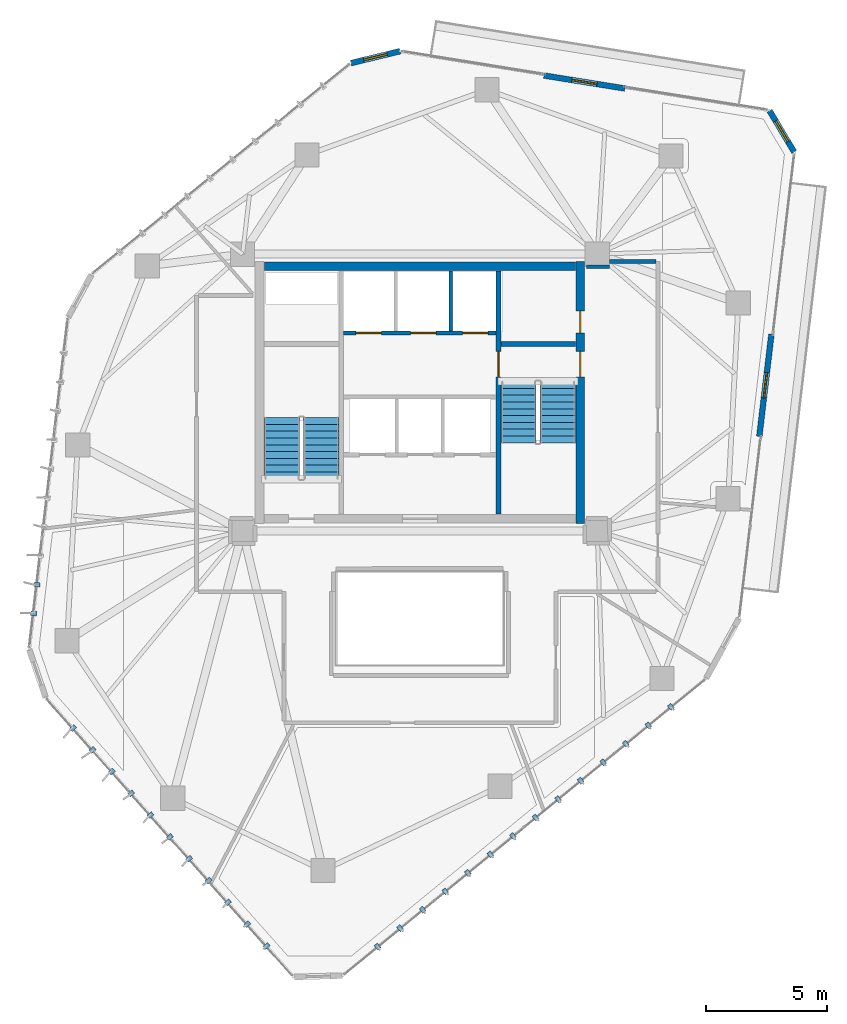
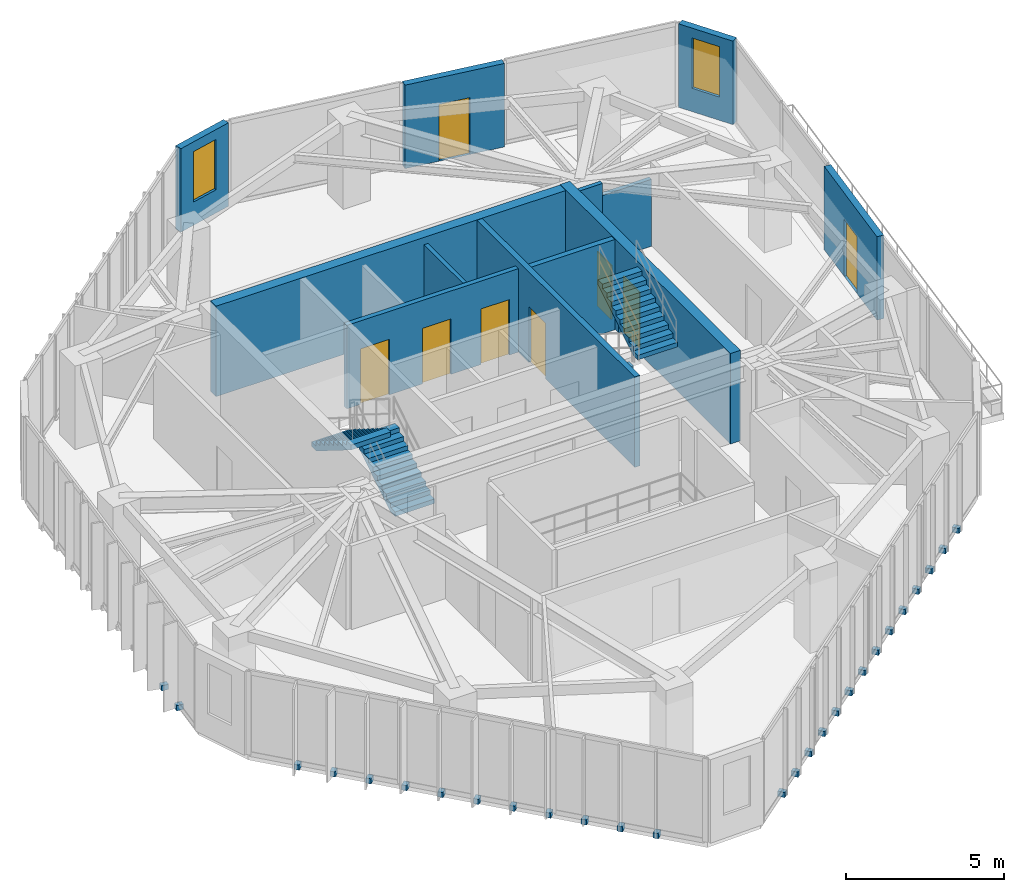
# One storey, part 19 of 22: 27 discrete accessories, 12 walls, 8 doors, 4 stair flights, 2 windows, 10 openings, 2 elements without a shape of their own.
"""IFC4 building model written with IfcOpenShell, lengths in metres."""

from ifc_helpers import new_model, si_unit, direction, frame, frame_2d, origin, origin_2d, place, context, subcontext, project, spatial, polyline, rectangle, outline, extrude, source, transform, mapped, material, layer, layer_set, type_object, type_shapes, element, fill, aggregate, save


model = new_model("IFC4")

# Units and contexts
model_context = context("Model", 3, precision=1e-05, world=origin(), true_north=direction((0.0, 1.0)))
body_context = subcontext(model_context, "Body", "Model", "MODEL_VIEW")
ifc_project = project(units=[si_unit("LENGTHUNIT", "METRE"), si_unit("AREAUNIT", "SQUARE_METRE"), si_unit("VOLUMEUNIT", "CUBIC_METRE"), si_unit("PLANEANGLEUNIT", "RADIAN"), si_unit("MASSUNIT", "GRAM", prefix="KILO")], contexts=[model_context])

# Site, building, storey
site_placement = place(None, origin())
site = spatial("IfcSite", under=ifc_project, at=site_placement, CompositionType="ELEMENT")
building_placement = place(site_placement, origin())
building = spatial("IfcBuilding", under=site, at=building_placement, Name="Talar Marvaseh", CompositionType="ELEMENT")
storey_placement = place(building_placement, frame((0.0, 0.0, 208.199951171875)))
storey = spatial("IfcBuildingStorey", under=building, at=storey_placement, Name="L54", CompositionType="ELEMENT", Elevation=208.199951171875)

# Wall, opening, window
ifc_material_1 = material(Name="Precast concrete C45/55", Category="concrete")
ifc_layer_1 = layer(ifc_material_1, 0.239990234375)
ifc_layer_set_1 = layer_set([ifc_layer_1], Name="Precast concrete C45/55")
wall_type_1 = type_object("IfcWallType", Name="Chamfered Hexagonal Corner Pier Wall Z3 240", PredefinedType="SOLIDWALL", material=ifc_layer_set_1)
wall_1_placement = place(storey_placement, frame((23.158447265625, 44.766845703125, 0.0), z_axis=(0.0, 0.0, 1.0), x_axis=(0.971863892144, 0.235543149227, 0.0)))
wall_1 = element("IfcWall", 1, at=wall_1_placement, inside=storey, type_object=wall_type_1, Name="L54 Chamfered Corner Limestone Pier 4", PredefinedType="SOLIDWALL", context=body_context, shape_type="SweptSolid", body=[
    extrude(rectangle(XDim=2.088623046875, YDim=0.239990234375, at=frame_2d((1.04443359375, 0.0))), origin(), (0.0, 0.0, 1.0), 3.22998046875),
])
opening_1_placement = place(wall_1_placement, frame((0.5439453125, 0.0, 0.89990234375)))
opening_1 = element("IfcOpeningElement", 2, at=opening_1_placement, cuts=wall_1, Name="Opening WN-CHM10", PredefinedType="OPENING", context=body_context, shape_type="SweptSolid", body=[
    extrude(rectangle(XDim=1.0, YDim=1.949951171875, at=frame_2d((0.5, 0.97509765625))), frame((0.0, 0.1298828125, 0.0), z_axis=(0.0, -1.0, 0.0), x_axis=(1.0, 0.0, 0.0)), (0.0, 0.0, 1.0), 0.260009765625),
])
ifc_material_2 = material(Name="Laminated Low-E Solar Glass", Category="glass")
window_type = type_object("IfcWindowType", Name="Zone 3 Chamfered Corner Slot Window 1000x1950", PartitioningType="SINGLE_PANEL", PredefinedType="WINDOW", material=ifc_material_2)
shared_shape_1 = source(origin(), body_context, "Body", "SweptSolid", [
    extrude(rectangle(XDim=1.0, YDim=1.949951171875, at=frame_2d((0.5, 0.97509765625))), frame((0.0, 0.030029296875, 0.0), z_axis=(0.0, -1.0, 0.0), x_axis=(1.0, 0.0, 0.0)), (0.0, 0.0, 1.0), 0.06005859375),
])
type_shapes(window_type, [shared_shape_1])
window_1_placement = place(opening_1_placement, origin())
window_1 = element("IfcWindow", 3, at=window_1_placement, inside=storey, type_object=window_type, Name="L54 Chamfered Corner Slot Window", OverallHeight=1.949951171875, OverallWidth=1.0, PartitioningType="SINGLE_PANEL", PredefinedType="WINDOW", context=body_context, shape_type="MappedRepresentation", body=[
    mapped(shared_shape_1, transform((0.0, 0.0, 0.0), x_axis=(1.0, 0.0, 0.0), y_axis=(0.0, 1.0, 0.0), z_axis=(0.0, 0.0, 1.0), scale=1.0)),
])
fill(opening_1, window_1)

wall_2_placement = place(storey_placement, frame((40.39990234375, 42.806396484375, 0.0), z_axis=(0.0, 0.0, 1.0), x_axis=(0.512388507924, -0.85875375804, 0.0)))
wall_2 = element("IfcWall", 4, at=wall_2_placement, inside=storey, type_object=wall_type_1, Name="L54 Chamfered Corner Limestone Pier 5", PredefinedType="SOLIDWALL", context=body_context, shape_type="SweptSolid", body=[
    extrude(rectangle(XDim=1.977783203125, YDim=0.239990234375, at=frame_2d((0.98876953125, 0.0))), origin(), (0.0, 0.0, 1.0), 3.22998046875),
])
opening_2_placement = place(wall_2_placement, frame((0.489013671875, 0.0, 0.89990234375)))
opening_2 = element("IfcOpeningElement", 5, at=opening_2_placement, cuts=wall_2, Name="Opening WN-CHM10", PredefinedType="OPENING", context=body_context, shape_type="SweptSolid", body=[
    extrude(rectangle(XDim=1.0, YDim=1.949951171875, at=frame_2d((0.5, 0.97509765625))), frame((0.0, 0.1298828125, 0.0), z_axis=(0.0, -1.0, 0.0), x_axis=(1.0, 0.0, 0.0)), (0.0, 0.0, 1.0), 0.260009765625),
])
window_2_placement = place(opening_2_placement, origin())
window_2 = element("IfcWindow", 6, at=window_2_placement, inside=storey, type_object=window_type, Name="L54 Chamfered Corner Slot Window", OverallHeight=1.949951171875, OverallWidth=1.0, PartitioningType="SINGLE_PANEL", PredefinedType="WINDOW", context=body_context, shape_type="MappedRepresentation", body=[
    mapped(shared_shape_1, transform((0.0, 0.0, 0.0), x_axis=(1.0, 0.0, 0.0), y_axis=(0.0, 1.0, 0.0), z_axis=(0.0, 0.0, 1.0), scale=1.0)),
])
fill(opening_2, window_2)

# Walls
ifc_material_3 = material(Name="Gypsum Board Partition Assembly")
ifc_layer_2 = layer(ifc_material_3, 0.155029296875)
ifc_layer_set_2 = layer_set([ifc_layer_2], Name="Gypsum Board Partition Assembly")
wall_type_2 = type_object("IfcWallType", Name="Corridor Fire-Rated Acoustic Partition 155", PredefinedType="PARTITIONING", material=ifc_layer_set_2)
wall_3_placement = place(storey_placement, frame((32.8701171875, 36.385009765625, 0.0), z_axis=(0.0, 0.0, 1.0), x_axis=(0.999999965754, 0.000261711585, 0.0)))
element("IfcWall", 7, at=wall_3_placement, inside=storey, type_object=wall_type_2, Name="L54 Interior Partition Wall", PredefinedType="PARTITIONING", context=body_context, shape_type="SweptSolid", body=[
    extrude(rectangle(XDim=0.932861328125, YDim=0.155029296875, at=frame_2d((0.46630859375, 0.0))), origin(), (0.0, 0.0, 1.0), 3.22998046875),
])
wall_4_placement = place(storey_placement, frame((33.81494140625, 36.60009765625, 0.0), z_axis=(0.0, 0.0, 1.0), x_axis=(1.0, 0.0, 0.0)))
element("IfcWall", 8, at=wall_4_placement, inside=storey, type_object=wall_type_2, Name="L54 Interior Partition Wall", PredefinedType="PARTITIONING", context=body_context, shape_type="SweptSolid", body=[
    extrude(rectangle(XDim=1.901611328125, YDim=0.155029296875, at=frame_2d((0.95068359375, 0.0))), origin(), (0.0, 0.0, 1.0), 2.589111328125),
])
ifc_layer_3 = layer(ifc_material_1, 0.14501953125)
ifc_layer_set_3 = layer_set([ifc_layer_3], Name="Precast concrete C45/55")
wall_type_3 = type_object("IfcWallType", Name="Fire-Rated Lift Divider Wall 145", PredefinedType="SOLIDWALL", material=ifc_layer_set_3)
wall_5_placement = place(storey_placement, frame((27.280029296875, 33.743408203125, 0.0), z_axis=(0.0, 0.0, 1.0), x_axis=(0.0, 1.0, 0.0)))
element("IfcWall", 9, at=wall_5_placement, inside=storey, type_object=wall_type_3, Name="L54 FFL-2/SVL-1 Divider", PredefinedType="SOLIDWALL", context=body_context, shape_type="SweptSolid", body=[
    extrude(rectangle(XDim=2.45654296875, YDim=0.14501953125, at=frame_2d((1.228271484375, 0.0))), origin(), (0.0, 0.0, 1.0), 3.22998046875),
])

# Wall, openings, doors
ifc_layer_4 = layer(ifc_material_1, 0.175048828125)
ifc_layer_set_4 = layer_set([ifc_layer_4], Name="Precast concrete C45/55")
wall_type_4 = type_object("IfcWallType", Name="Fire-Rated Lift Hoistway Enclosure Wall 175", PredefinedType="SOLIDWALL", material=ifc_layer_set_4)
wall_6_placement = place(storey_placement, frame((22.860107421875, 33.64990234375, 0.0), z_axis=(0.0, 0.0, 1.0), x_axis=(1.0, 0.0, 0.0)))
wall_6 = element("IfcWall", 10, at=wall_6_placement, inside=storey, type_object=wall_type_4, Name="L54 Firefighting and Service Lift Front Wall", PredefinedType="SOLIDWALL", context=body_context, shape_type="SweptSolid", body=[
    extrude(rectangle(XDim=6.27978515625, YDim=0.175048828125, at=frame_2d((3.139892578125, 0.0))), origin(), (0.0, 0.0, 1.0), 3.22998046875),
])
opening_3_placement = place(wall_6_placement, frame((0.5, 0.0, 0.0)))
opening_3 = element("IfcOpeningElement", 11, at=opening_3_placement, cuts=wall_6, Name="Opening LD-FF1", PredefinedType="OPENING", context=body_context, shape_type="SweptSolid", body=[
    extrude(rectangle(XDim=1.050048828125, YDim=2.14990234375, at=frame_2d((0.52490234375, 1.074951171875))), frame((0.0, 0.09765625, 0.0), z_axis=(0.0, -1.0, 0.0), x_axis=(1.0, 0.0, 0.0)), (0.0, 0.0, 1.0), 0.195068359375),
])
opening_4_placement = place(wall_6_placement, frame((2.760009765625, 0.0, 0.0)))
opening_4 = element("IfcOpeningElement", 12, at=opening_4_placement, cuts=wall_6, Name="Opening LD-FF2", PredefinedType="OPENING", context=body_context, shape_type="SweptSolid", body=[
    extrude(rectangle(XDim=1.050048828125, YDim=2.14990234375, at=frame_2d((0.52490234375, 1.074951171875))), frame((0.0, 0.09765625, 0.0), z_axis=(0.0, -1.0, 0.0), x_axis=(1.0, 0.0, 0.0)), (0.0, 0.0, 1.0), 0.195068359375),
])
opening_5_placement = place(wall_6_placement, frame((4.89990234375, 0.0, 0.0)))
opening_5 = element("IfcOpeningElement", 13, at=opening_5_placement, cuts=wall_6, Name="Opening LD-SV1", PredefinedType="OPENING", context=body_context, shape_type="SweptSolid", body=[
    extrude(rectangle(XDim=1.050048828125, YDim=2.14990234375, at=frame_2d((0.52490234375, 1.074951171875))), frame((0.0, 0.09765625, 0.0), z_axis=(0.0, -1.0, 0.0), x_axis=(1.0, 0.0, 0.0)), (0.0, 0.0, 1.0), 0.195068359375),
])
ifc_material_4 = material(Name="Stainless Steel Grade 316", Category="steel")
door_type_1 = type_object("IfcDoorType", Name="Automatic Sliding Lift Landing Door 1050x2150", OperationType="NOTDEFINED", PredefinedType="DOOR", material=ifc_material_4)
shared_shape_2 = source(origin(), body_context, "Body", "SweptSolid", [
    extrude(rectangle(XDim=1.050048828125, YDim=2.14990234375, at=frame_2d((0.52490234375, 1.074951171875))), frame((0.0, 0.02490234375, 0.0), z_axis=(0.0, -1.0, 0.0), x_axis=(1.0, 0.0, 0.0)), (0.0, 0.0, 1.0), 0.050048828125),
])
type_shapes(door_type_1, [shared_shape_2])
door_1_placement = place(opening_3_placement, origin())
door_1 = element("IfcDoor", 14, at=door_1_placement, inside=storey, type_object=door_type_1, Name="L54 Lift FFL-1 Sliding Landing Door", OperationType="SLIDING_TO_LEFT", OverallHeight=2.14990234375, OverallWidth=1.050048828125, PredefinedType="DOOR", context=body_context, shape_type="MappedRepresentation", body=[
    mapped(shared_shape_2, transform((0.0, 0.0, 0.0), x_axis=(1.0, 0.0, 0.0), y_axis=(0.0, 1.0, 0.0), z_axis=(0.0, 0.0, 1.0), scale=1.0)),
])
fill(opening_3, door_1)
door_2_placement = place(opening_4_placement, origin())
door_2 = element("IfcDoor", 15, at=door_2_placement, inside=storey, type_object=door_type_1, Name="L54 Lift FFL-2 Sliding Landing Door", OperationType="SLIDING_TO_LEFT", OverallHeight=2.14990234375, OverallWidth=1.050048828125, PredefinedType="DOOR", context=body_context, shape_type="MappedRepresentation", body=[
    mapped(shared_shape_2, transform((0.0, 0.0, 0.0), x_axis=(1.0, 0.0, 0.0), y_axis=(0.0, 1.0, 0.0), z_axis=(0.0, 0.0, 1.0), scale=1.0)),
])
fill(opening_4, door_2)
door_3_placement = place(opening_5_placement, origin())
door_3 = element("IfcDoor", 16, at=door_3_placement, inside=storey, type_object=door_type_1, Name="L54 Lift SVL-1 Sliding Landing Door", OperationType="SLIDING_TO_LEFT", OverallHeight=2.14990234375, OverallWidth=1.050048828125, PredefinedType="DOOR", context=body_context, shape_type="MappedRepresentation", body=[
    mapped(shared_shape_2, transform((0.0, 0.0, 0.0), x_axis=(1.0, 0.0, 0.0), y_axis=(0.0, 1.0, 0.0), z_axis=(0.0, 0.0, 1.0), scale=1.0)),
])
fill(opening_5, door_3)

# Wall, opening, door
ifc_material_5 = material(Name="Concrete C50/60", Category="concrete")
ifc_layer_5 = layer(ifc_material_5, 0.199951171875)
ifc_layer_set_5 = layer_set([ifc_layer_5], Name="Concrete C50/60")
wall_type_5 = type_object("IfcWallType", Name="Stair Shaft Structural Concrete Shear Wall 200", PredefinedType="SHEAR", material=ifc_layer_set_5)
wall_7_placement = place(storey_placement, frame((29.239990234375, 26.199951171875, 0.0), z_axis=(0.0, 0.0, 1.0), x_axis=(0.0, 1.0, 0.0)))
wall_7 = element("IfcWall", 17, at=wall_7_placement, inside=storey, type_object=wall_type_5, Name="L54 Core East Stair Shear Wall", PredefinedType="SHEAR", context=body_context, shape_type="SweptSolid", body=[
    extrude(rectangle(XDim=10.0, YDim=0.199951171875, at=frame_2d((5.0, 0.0))), origin(), (0.0, 0.0, 1.0), 3.5),
])
opening_6_placement = place(wall_7_placement, frame((5.64990234375, 0.0, 0.0)))
opening_6 = element("IfcOpeningElement", 18, at=opening_6_placement, cuts=wall_7, Name="Opening DR-ST105", PredefinedType="OPENING", context=body_context, shape_type="SweptSolid", body=[
    extrude(rectangle(XDim=1.050048828125, YDim=2.14990234375, at=frame_2d((0.52490234375, 1.074951171875))), frame((0.0, 0.10986328125, 0.0), z_axis=(0.0, -1.0, 0.0), x_axis=(1.0, 0.0, 0.0)), (0.0, 0.0, 1.0), 0.219970703125),
])
ifc_material_6 = material(Name="Fire-Rated Steel Door Leaf", Category="steel")
door_type_2 = type_object("IfcDoorType", Name="Protected Exit Stair Fire Door 1050x2150", OperationType="NOTDEFINED", PredefinedType="DOOR", material=ifc_material_6)
shared_shape_3 = source(origin(), body_context, "Body", "SweptSolid", [
    extrude(rectangle(XDim=1.050048828125, YDim=2.14990234375, at=frame_2d((0.52490234375, 1.074951171875))), frame((0.0, 0.02490234375, 0.0), z_axis=(0.0, -1.0, 0.0), x_axis=(1.0, 0.0, 0.0)), (0.0, 0.0, 1.0), 0.050048828125),
])
type_shapes(door_type_2, [shared_shape_3])
door_4_placement = place(opening_6_placement, origin())
door_4 = element("IfcDoor", 19, at=door_4_placement, inside=storey, type_object=door_type_2, Name="L54 Firefighting Lobby to Stair ST-2 Door", OperationType="SINGLE_SWING_LEFT", OverallHeight=2.14990234375, OverallWidth=1.050048828125, PredefinedType="DOOR", context=body_context, shape_type="MappedRepresentation", body=[
    mapped(shared_shape_3, transform((0.0, 0.0, 0.0), x_axis=(1.0, 0.0, 0.0), y_axis=(0.0, 1.0, 0.0), z_axis=(0.0, 0.0, 1.0), scale=1.0)),
])
fill(opening_6, door_4)

# Wall
wall_8_placement = place(storey_placement, frame((29.340087890625, 33.199951171875, 0.0), z_axis=(0.0, 0.0, 1.0), x_axis=(1.0, 0.0, 0.0)))
element("IfcWall", 20, at=wall_8_placement, inside=storey, type_object=wall_type_5, Name="L54 Stair ST-2 North Shear Wall", PredefinedType="SHEAR", context=body_context, shape_type="SweptSolid", body=[
    extrude(rectangle(XDim=3.059814453125, YDim=0.199951171875, at=frame_2d((1.52978515625, 0.0))), origin(), (0.0, 0.0, 1.0), 3.5),
])

# Wall, opening, door
ifc_layer_6 = layer(ifc_material_1, 0.235107421875)
ifc_layer_set_6 = layer_set([ifc_layer_6], Name="Precast concrete C45/55")
wall_type_6 = type_object("IfcWallType", Name="Terrace Threshold Glazed Spandrel Wall 235", PredefinedType="SOLIDWALL", material=ifc_layer_set_6)
wall_9_placement = place(storey_placement, frame((31.109375, 44.2548828125, 0.0), z_axis=(0.0, 0.0, 1.0), x_axis=(0.987425728725, -0.158083617912, 0.0)))
wall_9 = element("IfcWall", 21, at=wall_9_placement, inside=storey, type_object=wall_type_6, Name="L54 Terrace Threshold Wall", PredefinedType="SOLIDWALL", context=body_context, shape_type="SweptSolid", body=[
    extrude(rectangle(XDim=3.37451171875, YDim=0.235107421875, at=frame_2d((1.687255859375, 0.0))), origin(), (0.0, 0.0, 1.0), 3.22998046875),
])
opening_7_placement = place(wall_9_placement, frame((1.162109375, 0.0, 0.0)))
opening_7 = element("IfcOpeningElement", 22, at=opening_7_placement, cuts=wall_9, Name="Opening DR-TER10", PredefinedType="OPENING", context=body_context, shape_type="SweptSolid", body=[
    extrude(rectangle(XDim=1.050048828125, YDim=2.199951171875, at=frame_2d((0.52490234375, 1.10009765625))), frame((0.0, 0.12744140625, 0.0), z_axis=(0.0, -1.0, 0.0), x_axis=(1.0, 0.0, 0.0)), (0.0, 0.0, 1.0), 0.255126953125),
])
ifc_material_7 = material(Name="Architectural Aluminium", Category="aluminium")
door_type_3 = type_object("IfcDoorType", Name="External Terrace Weatherproof Glazed Door 1050x2200", OperationType="NOTDEFINED", PredefinedType="DOOR", material=ifc_material_7)
shared_shape_4 = source(origin(), body_context, "Body", "SweptSolid", [
    extrude(rectangle(XDim=1.050048828125, YDim=2.199951171875, at=frame_2d((0.52490234375, 1.10009765625))), frame((0.0, 0.02490234375, 0.0), z_axis=(0.0, -1.0, 0.0), x_axis=(1.0, 0.0, 0.0)), (0.0, 0.0, 1.0), 0.050048828125),
])
type_shapes(door_type_3, [shared_shape_4])
door_5_placement = place(opening_7_placement, origin())
door_5 = element("IfcDoor", 23, at=door_5_placement, inside=storey, type_object=door_type_3, Name="L54 External Planted Terrace Access Door", OperationType="SINGLE_SWING_LEFT", OverallHeight=2.199951171875, OverallWidth=1.050048828125, PredefinedType="DOOR", context=body_context, shape_type="MappedRepresentation", body=[
    mapped(shared_shape_4, transform((0.0, 0.0, 0.0), x_axis=(1.0, 0.0, 0.0), y_axis=(0.0, 1.0, 0.0), z_axis=(0.0, 0.0, 1.0), scale=1.0)),
])
fill(opening_7, door_5)

wall_10_placement = place(storey_placement, frame((40.4765625, 33.607177734375, 0.0), z_axis=(0.0, 0.0, 1.0), x_axis=(-0.11771580684, -0.993047324562, 0.0)))
wall_10 = element("IfcWall", 24, at=wall_10_placement, inside=storey, type_object=wall_type_6, Name="L54 Terrace Threshold Wall", PredefinedType="SOLIDWALL", context=body_context, shape_type="SweptSolid", body=[
    extrude(rectangle(XDim=4.243408203125, YDim=0.235107421875, at=frame_2d((2.12158203125, 0.0))), origin(), (0.0, 0.0, 1.0), 3.22998046875),
])
opening_8_placement = place(wall_10_placement, frame((1.596923828125, 0.0, 0.0)))
opening_8 = element("IfcOpeningElement", 25, at=opening_8_placement, cuts=wall_10, Name="Opening DR-TER10", PredefinedType="OPENING", context=body_context, shape_type="SweptSolid", body=[
    extrude(rectangle(XDim=1.050048828125, YDim=2.199951171875, at=frame_2d((0.52490234375, 1.10009765625))), frame((0.0, 0.12744140625, 0.0), z_axis=(0.0, -1.0, 0.0), x_axis=(1.0, 0.0, 0.0)), (0.0, 0.0, 1.0), 0.255126953125),
])
door_6_placement = place(opening_8_placement, origin())
door_6 = element("IfcDoor", 26, at=door_6_placement, inside=storey, type_object=door_type_3, Name="L54 External Planted Terrace Access Door", OperationType="SINGLE_SWING_RIGHT", OverallHeight=2.199951171875, OverallWidth=1.050048828125, PredefinedType="DOOR", context=body_context, shape_type="MappedRepresentation", body=[
    mapped(shared_shape_4, transform((0.0, 0.0, 0.0), x_axis=(1.0, 0.0, 0.0), y_axis=(0.0, 1.0, 0.0), z_axis=(0.0, 0.0, 1.0), scale=1.0)),
])
fill(opening_8, door_6)

# Wall, openings, doors
ifc_layer_7 = layer(ifc_material_5, 0.360107421875)
ifc_layer_set_7 = layer_set([ifc_layer_7], Name="Concrete C50/60")
wall_type_7 = type_object("IfcWallType", Name="Upper Core Reinforced Concrete Shear Wall 360", PredefinedType="SHEAR", material=ifc_layer_set_7)
wall_11_placement = place(storey_placement, frame((32.60009765625, 36.60009765625, 0.0), z_axis=(0.0, 0.0, 1.0), x_axis=(0.0, -1.0, 0.0)))
wall_11 = element("IfcWall", 27, at=wall_11_placement, inside=storey, type_object=wall_type_7, Name="L54 East Core Shear Wall", PredefinedType="SHEAR", context=body_context, shape_type="SweptSolid", body=[
    extrude(rectangle(XDim=10.800048828125, YDim=0.360107421875, at=frame_2d((5.39990234375, 0.0))), origin(), (0.0, 0.0, 1.0), 3.5),
])
opening_9_placement = place(wall_11_placement, frame((3.699951171875, 0.0, 0.0)))
opening_9 = element("IfcOpeningElement", 28, at=opening_9_placement, cuts=wall_11, Name="Opening DR-ST105", PredefinedType="OPENING", context=body_context, shape_type="SweptSolid", body=[
    extrude(rectangle(XDim=1.050048828125, YDim=2.14990234375, at=frame_2d((0.52490234375, 1.074951171875))), frame((0.0, 0.18994140625, 0.0), z_axis=(0.0, -1.0, 0.0), x_axis=(1.0, 0.0, 0.0)), (0.0, 0.0, 1.0), 0.380126953125),
])
opening_10_placement = place(wall_11_placement, frame((2.050048828125, 0.0, 0.0)))
opening_10 = element("IfcOpeningElement", 29, at=opening_10_placement, cuts=wall_11, Name="Opening DR-BOH090", PredefinedType="OPENING", context=body_context, shape_type="SweptSolid", body=[
    extrude(rectangle(XDim=0.89990234375, YDim=2.10009765625, at=frame_2d((0.449951171875, 1.050048828125))), frame((0.0, 0.18994140625, 0.0), z_axis=(0.0, -1.0, 0.0), x_axis=(1.0, 0.0, 0.0)), (0.0, 0.0, 1.0), 0.380126953125),
])
door_7_placement = place(opening_9_placement, origin())
door_7 = element("IfcDoor", 30, at=door_7_placement, inside=storey, type_object=door_type_2, Name="L54 Stair ST-2 Corridor Exit Door", OperationType="SINGLE_SWING_LEFT", OverallHeight=2.14990234375, OverallWidth=1.050048828125, PredefinedType="DOOR", context=body_context, shape_type="MappedRepresentation", body=[
    mapped(shared_shape_3, transform((0.0, 0.0, 0.0), x_axis=(1.0, 0.0, 0.0), y_axis=(0.0, 1.0, 0.0), z_axis=(0.0, 0.0, 1.0), scale=1.0)),
])
fill(opening_9, door_7)
door_type_4 = type_object("IfcDoorType", Name="Core Back-of-House Service Door 900x2100", OperationType="NOTDEFINED", PredefinedType="DOOR", material=ifc_material_6)
shared_shape_5 = source(origin(), body_context, "Body", "SweptSolid", [
    extrude(rectangle(XDim=0.89990234375, YDim=2.10009765625, at=frame_2d((0.449951171875, 1.050048828125))), frame((0.0, 0.02490234375, 0.0), z_axis=(0.0, -1.0, 0.0), x_axis=(1.0, 0.0, 0.0)), (0.0, 0.0, 1.0), 0.050048828125),
])
type_shapes(door_type_4, [shared_shape_5])
door_8_placement = place(opening_10_placement, origin())
door_8 = element("IfcDoor", 31, at=door_8_placement, inside=storey, type_object=door_type_4, Name="L54 Store Core East Archive Room Door", OperationType="SINGLE_SWING_RIGHT", OverallHeight=2.10009765625, OverallWidth=0.89990234375, PredefinedType="DOOR", context=body_context, shape_type="MappedRepresentation", body=[
    mapped(shared_shape_5, transform((0.0, 0.0, 0.0), x_axis=(1.0, 0.0, 0.0), y_axis=(0.0, 1.0, 0.0), z_axis=(0.0, 0.0, 1.0), scale=1.0)),
])
fill(opening_10, door_8)

# Wall
wall_12_placement = place(storey_placement, frame((19.60009765625, 36.39990234375, 0.0), z_axis=(0.0, 0.0, 1.0), x_axis=(1.0, 0.0, 0.0)))
element("IfcWall", 32, at=wall_12_placement, inside=storey, type_object=wall_type_7, Name="L54 North Core Shear Wall", PredefinedType="SHEAR", context=body_context, shape_type="SweptSolid", body=[
    extrude(rectangle(XDim=12.7998046875, YDim=0.360107421875, at=frame_2d((6.39990234375, 0.0))), origin(), (0.0, 0.0, 1.0), 3.5),
])

# Stair, stair flights
ifc_material_8 = material(Name="Concrete C40/50", Category="concrete")
stair_type = type_object("IfcStairType", Name="Reinforced Concrete High-Rise Exit Stair Type C", PredefinedType="HALF_TURN_STAIR", material=ifc_material_8)
stair_1_placement = place(storey_placement, origin())
stair_1 = element("IfcStair", 33, at=stair_1_placement, inside=storey, type_object=stair_type, Name="L54 Tower West Core Exit Stair", PredefinedType="HALF_TURN_STAIR")
ifc_layer_8 = layer(ifc_material_8, 0.159912109375)
ifc_layer_set_8 = layer_set([ifc_layer_8], Name="Concrete C40/50")
stair_flight_type = type_object("IfcStairFlightType", Name="Reinforced Concrete Straight Stair Flight 160", PredefinedType="STRAIGHT", material=ifc_layer_set_8)
stair_flight_1_placement = place(storey_placement, frame((21.93505859375, 27.64990234375, 0.0), z_axis=(0.0, 0.0, 1.0), x_axis=(0.0, 1.0, 0.0)))
stair_flight_1 = element("IfcStairFlight", 34, at=stair_flight_1_placement, type_object=stair_flight_type, Name="ST-1 flight 1", NumberOfRisers=10, NumberOfTreads=9, PredefinedType="STRAIGHT", RiserHeight=0.175, TreadLength=0.28, context=body_context, shape_type="SweptSolid", body=[
    extrude(outline(polyline([(0.0, 0.0), (0.0, 0.175048828125), (0.280029296875, 0.175048828125), (0.280029296875, 0.35009765625), (0.56005859375, 0.35009765625), (0.56005859375, 0.52490234375), (0.840087890625, 0.52490234375), (0.840087890625, 0.699951171875), (1.1201171875, 0.699951171875), (1.1201171875, 0.875), (1.39990234375, 0.875), (1.39990234375, 1.050048828125), (1.679931640625, 1.050048828125), (1.679931640625, 1.22509765625), (1.9599609375, 1.22509765625), (1.9599609375, 1.39990234375), (2.239990234375, 1.39990234375), (2.239990234375, 1.574951171875), (2.52001953125, 1.574951171875), (2.52001953125, 1.75), (2.52001953125, 1.386474609375), (0.3017578125, 0.0), (0.0, 0.0)])), frame((0.0, 0.72509765625, 0.0), z_axis=(0.0, -1.0, 0.0), x_axis=(1.0, 0.0, 0.0)), (0.0, 0.0, 1.0), 1.449951171875),
])
stair_flight_2_placement = place(storey_placement, frame((20.324951171875, 30.169921875, 1.75), z_axis=(0.0, 0.0, 1.0), x_axis=(0.0, -1.0, 0.0)))
stair_flight_2 = element("IfcStairFlight", 35, at=stair_flight_2_placement, type_object=stair_flight_type, Name="ST-1 flight 2", NumberOfRisers=10, NumberOfTreads=9, PredefinedType="STRAIGHT", RiserHeight=0.175, TreadLength=0.28, context=body_context, shape_type="SweptSolid", body=[
    extrude(outline(polyline([(0.0, 0.0), (0.0, 0.175048828125), (0.280029296875, 0.175048828125), (0.280029296875, 0.35009765625), (0.56005859375, 0.35009765625), (0.56005859375, 0.52490234375), (0.840087890625, 0.52490234375), (0.840087890625, 0.699951171875), (1.1201171875, 0.699951171875), (1.1201171875, 0.875), (1.39990234375, 0.875), (1.39990234375, 1.050048828125), (1.679931640625, 1.050048828125), (1.679931640625, 1.22509765625), (1.9599609375, 1.22509765625), (1.9599609375, 1.39990234375), (2.239990234375, 1.39990234375), (2.239990234375, 1.574951171875), (2.52001953125, 1.574951171875), (2.52001953125, 1.75), (2.52001953125, 1.386474609375), (0.3017578125, 0.0), (0.0, 0.0)])), frame((0.0, 0.72509765625, 0.0), z_axis=(0.0, -1.0, 0.0), x_axis=(1.0, 0.0, 0.0)), (0.0, 0.0, 1.0), 1.449951171875),
])
aggregate(stair_1, [stair_flight_1, stair_flight_2])

stair_2_placement = place(storey_placement, origin())
stair_2 = element("IfcStair", 36, at=stair_2_placement, inside=storey, type_object=stair_type, Name="L54 Tower East Core Exit Stair", PredefinedType="HALF_TURN_STAIR")
stair_flight_3_placement = place(storey_placement, frame((30.06494140625, 31.64990234375, 0.0), z_axis=(0.0, 0.0, 1.0), x_axis=(0.0, -1.0, 0.0)))
stair_flight_3 = element("IfcStairFlight", 37, at=stair_flight_3_placement, type_object=stair_flight_type, Name="ST-2 flight 1", NumberOfRisers=10, NumberOfTreads=9, PredefinedType="STRAIGHT", RiserHeight=0.175, TreadLength=0.28, context=body_context, shape_type="SweptSolid", body=[
    extrude(outline(polyline([(0.0, 0.0), (0.0, 0.175048828125), (0.280029296875, 0.175048828125), (0.280029296875, 0.35009765625), (0.56005859375, 0.35009765625), (0.56005859375, 0.52490234375), (0.840087890625, 0.52490234375), (0.840087890625, 0.699951171875), (1.1201171875, 0.699951171875), (1.1201171875, 0.875), (1.39990234375, 0.875), (1.39990234375, 1.050048828125), (1.679931640625, 1.050048828125), (1.679931640625, 1.22509765625), (1.9599609375, 1.22509765625), (1.9599609375, 1.39990234375), (2.239990234375, 1.39990234375), (2.239990234375, 1.574951171875), (2.52001953125, 1.574951171875), (2.52001953125, 1.75), (2.52001953125, 1.386474609375), (0.3017578125, 0.0), (0.0, 0.0)])), frame((0.0, 0.72509765625, 0.0), z_axis=(0.0, -1.0, 0.0), x_axis=(1.0, 0.0, 0.0)), (0.0, 0.0, 1.0), 1.449951171875),
])
stair_flight_4_placement = place(storey_placement, frame((31.675048828125, 29.1298828125, 1.75), z_axis=(0.0, 0.0, 1.0), x_axis=(0.0, 1.0, 0.0)))
stair_flight_4 = element("IfcStairFlight", 38, at=stair_flight_4_placement, type_object=stair_flight_type, Name="ST-2 flight 2", NumberOfRisers=10, NumberOfTreads=9, PredefinedType="STRAIGHT", RiserHeight=0.175, TreadLength=0.28, context=body_context, shape_type="SweptSolid", body=[
    extrude(outline(polyline([(0.0, 0.0), (0.0, 0.175048828125), (0.280029296875, 0.175048828125), (0.280029296875, 0.35009765625), (0.56005859375, 0.35009765625), (0.56005859375, 0.52490234375), (0.840087890625, 0.52490234375), (0.840087890625, 0.699951171875), (1.1201171875, 0.699951171875), (1.1201171875, 0.875), (1.39990234375, 0.875), (1.39990234375, 1.050048828125), (1.679931640625, 1.050048828125), (1.679931640625, 1.22509765625), (1.9599609375, 1.22509765625), (1.9599609375, 1.39990234375), (2.239990234375, 1.39990234375), (2.239990234375, 1.574951171875), (2.52001953125, 1.574951171875), (2.52001953125, 1.75), (2.52001953125, 1.386474609375), (0.3017578125, 0.0), (0.0, 0.0)])), frame((0.0, 0.72509765625, 0.0), z_axis=(0.0, -1.0, 0.0), x_axis=(1.0, 0.0, 0.0)), (0.0, 0.0, 1.0), 1.449951171875),
])
aggregate(stair_2, [stair_flight_3, stair_flight_4])

# Discrete accessories
discrete_accessory_type = type_object("IfcDiscreteAccessoryType", Name="Stainless Slab-Edge Fin Mounting Bracket", PredefinedType="BRACKET", material=ifc_material_4)
shared_shape_6 = source(origin(), body_context, "Body", "SweptSolid", [
    extrude(rectangle(XDim=0.239990234375, YDim=0.179931640625, at=origin_2d()), origin(), (0.0, 0.0, 1.0), 0.199951171875),
])
type_shapes(discrete_accessory_type, [shared_shape_6])
for number, where, z_axis, x_axis, name in (
    (39, (19.68798828125, 8.4130859375, -0.1796875), (0.0, 0.0, 1.0), (-0.747798090499, -0.663926212652, 0.0), "L54 Vertical Fin Slab-Edge Bracket"),
    (40, (18.891357421875, 9.310546875, -0.1796875), (0.0, 0.0, 1.0), (-0.747798090499, -0.663926212652, 0.0), "L54 Vertical Fin Slab-Edge Bracket"),
    (41, (18.094482421875, 10.2080078125, -0.1796875), (0.0, 0.0, 1.0), (-0.747798090499, -0.663926212652, 0.0), "L54 Vertical Fin Slab-Edge Bracket"),
    (42, (17.298095703125, 11.105224609375, -0.1796875), (0.0, 0.0, 1.0), (-0.747798090499, -0.663926212652, 0.0), "L54 Vertical Fin Slab-Edge Bracket"),
    (43, (16.501220703125, 12.002685546875, -0.1796875), (0.0, 0.0, 1.0), (-0.747798090499, -0.663926212652, 0.0), "L54 Vertical Fin Slab-Edge Bracket"),
    (44, (15.70458984375, 12.900146484375, -0.1796875), (0.0, 0.0, 1.0), (-0.747798090499, -0.663926212652, 0.0), "L54 Vertical Fin Slab-Edge Bracket"),
    (45, (14.907958984375, 13.797607421875, -0.1796875), (0.0, 0.0, 1.0), (-0.747798090499, -0.663926212652, 0.0), "L54 Vertical Fin Slab-Edge Bracket"),
    (46, (14.111328125, 14.69482421875, -0.1796875), (0.0, 0.0, 1.0), (-0.747798090499, -0.663926212652, 0.0), "L54 Vertical Fin Slab-Edge Bracket"),
    (47, (13.314697265625, 15.59228515625, -0.1796875), (0.0, 0.0, 1.0), (-0.747798090499, -0.663926212652, 0.0), "L54 Vertical Fin Slab-Edge Bracket"),
    (48, (12.51806640625, 16.48974609375, -0.1796875), (0.0, 0.0, 1.0), (-0.747798090499, -0.663926212652, 0.0), "L54 Vertical Fin Slab-Edge Bracket"),
    (49, (11.72119140625, 17.38720703125, -0.1796875), (0.0, 0.0, 1.0), (-0.747798090499, -0.663926212652, 0.0), "L54 Vertical Fin Slab-Edge Bracket"),
    (50, (10.097900390625, 22.09912109375, -0.1796875), (0.0, 0.0, 1.0), (-0.9932113148, 0.116324048041, 0.0), "L54 Vertical Fin Slab-Edge Bracket"),
    (51, (10.23779296875, 23.291015625, -0.1796875), (0.0, 0.0, 1.0), (-0.9932113148, 0.116324048041, 0.0), "L54 Vertical Fin Slab-Edge Bracket"),
    (52, (36.335205078125, 18.2568359375, -0.1796875), (0.0, 0.0, 1.0), (0.632840475939, -0.774282204376, 0.0), "L54 Vertical Fin Slab-Edge Bracket"),
    (53, (35.406005859375, 17.49755859375, -0.1796875), (0.0, 0.0, 1.0), (0.632840475939, -0.774282204376, 0.0), "L54 Vertical Fin Slab-Edge Bracket"),
    (54, (34.476806640625, 16.73828125, -0.1796875), (0.0, 0.0, 1.0), (0.632840475939, -0.774282204376, 0.0), "L54 Vertical Fin Slab-Edge Bracket"),
    (55, (33.5478515625, 15.978759765625, -0.1796875), (0.0, 0.0, 1.0), (0.632840475939, -0.774282204376, 0.0), "L54 Vertical Fin Slab-Edge Bracket"),
    (56, (32.61865234375, 15.219482421875, -0.1796875), (0.0, 0.0, 1.0), (0.632840475939, -0.774282204376, 0.0), "L54 Vertical Fin Slab-Edge Bracket"),
    (57, (31.689453125, 14.4599609375, -0.1796875), (0.0, 0.0, 1.0), (0.632840475939, -0.774282204376, 0.0), "L54 Vertical Fin Slab-Edge Bracket"),
    (58, (30.76025390625, 13.70068359375, -0.1796875), (0.0, 0.0, 1.0), (0.632840475939, -0.774282204376, 0.0), "L54 Vertical Fin Slab-Edge Bracket"),
    (59, (29.8310546875, 12.941162109375, -0.1796875), (0.0, 0.0, 1.0), (0.632840475939, -0.774282204376, 0.0), "L54 Vertical Fin Slab-Edge Bracket"),
    (60, (28.902099609375, 12.181884765625, -0.1796875), (0.0, 0.0, 1.0), (0.632840475939, -0.774282204376, 0.0), "L54 Vertical Fin Slab-Edge Bracket"),
    (61, (27.972900390625, 11.422607421875, -0.1796875), (0.0, 0.0, 1.0), (0.632840475939, -0.774282204376, 0.0), "L54 Vertical Fin Slab-Edge Bracket"),
    (62, (27.043701171875, 10.6630859375, -0.1796875), (0.0, 0.0, 1.0), (0.632840475939, -0.774282204376, 0.0), "L54 Vertical Fin Slab-Edge Bracket"),
    (63, (26.114501953125, 9.90380859375, -0.1796875), (0.0, 0.0, 1.0), (0.632840475939, -0.774282204376, 0.0), "L54 Vertical Fin Slab-Edge Bracket"),
    (64, (25.185302734375, 9.144287109375, -0.1796875), (0.0, 0.0, 1.0), (0.632840475939, -0.774282204376, 0.0), "L54 Vertical Fin Slab-Edge Bracket"),
    (65, (24.256103515625, 8.385009765625, -0.1796875), (0.0, 0.0, 1.0), (0.632840475939, -0.774282204376, 0.0), "L54 Vertical Fin Slab-Edge Bracket"),
):
    element("IfcDiscreteAccessory", number, at=place(storey_placement, frame(where, z_axis=z_axis, x_axis=x_axis)), inside=storey, type_object=discrete_accessory_type, Name=name, PredefinedType="BRACKET", context=body_context, shape_type="MappedRepresentation", body=[
        mapped(shared_shape_6, transform((0.0, 0.0, 0.0), x_axis=(1.0, 0.0, 0.0), y_axis=(0.0, 1.0, 0.0), z_axis=(0.0, 0.0, 1.0), scale=1.0)),
    ])

save(model, "model.ifc")
